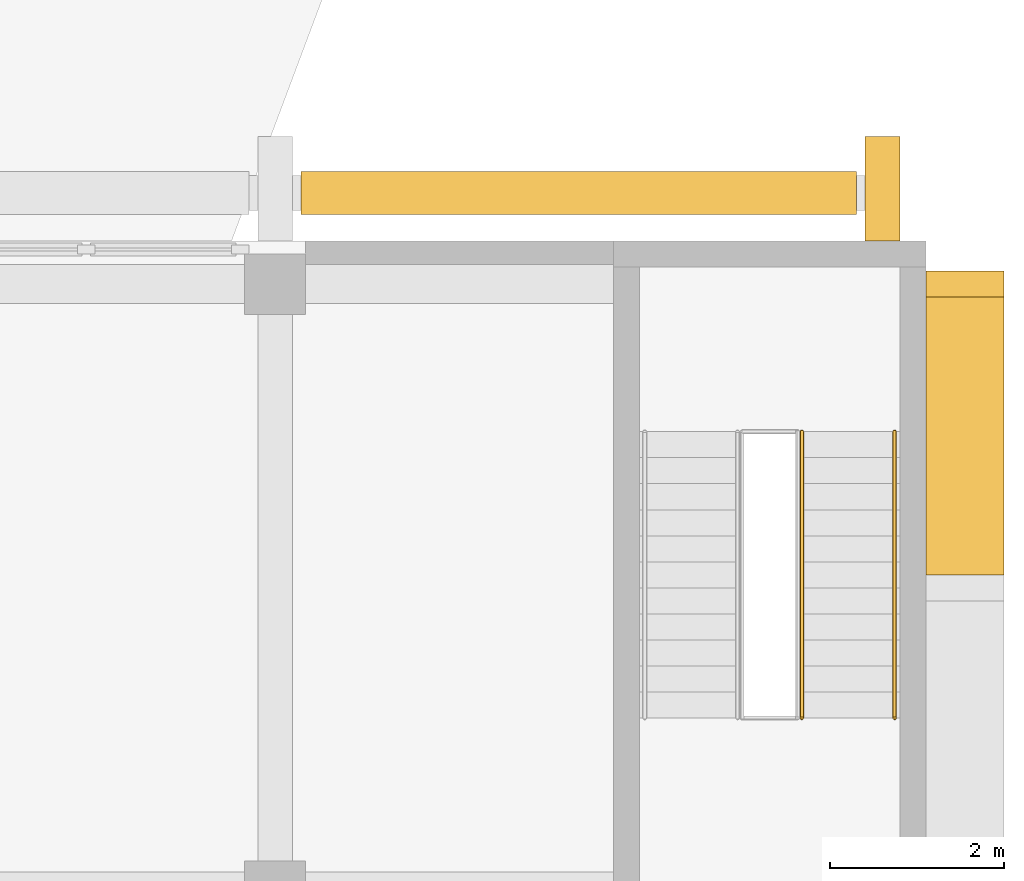
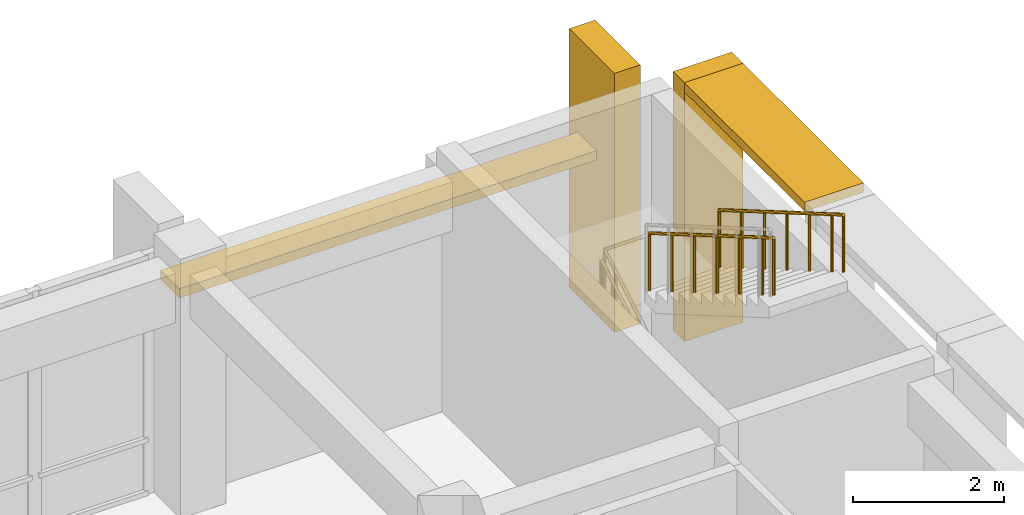
# One storey, part 45 of 45: 4 shading devices, 2 railings.
"""IFC4 building model written with IfcOpenShell, lengths in metres."""

from ifc_helpers import new_model, si_unit, direction, frame, origin, origin_2d, place, context, subcontext, project, spatial, rectangle, circle, extrude, material, layer, layer_set, type_object, element, save


model = new_model("IFC4")

# Units and contexts
model_context = context("Model", 3, precision=1e-05, world=origin(), true_north=direction((0.0, 1.0)))
body_context = subcontext(model_context, "Body", "Model", "MODEL_VIEW")
ifc_project = project(units=[si_unit("LENGTHUNIT", "METRE"), si_unit("AREAUNIT", "SQUARE_METRE"), si_unit("VOLUMEUNIT", "CUBIC_METRE"), si_unit("PLANEANGLEUNIT", "RADIAN"), si_unit("MASSUNIT", "GRAM", prefix="KILO")], contexts=[model_context])

# Site, building, storey
site_placement = place(None, origin())
site = spatial("IfcSite", under=ifc_project, at=site_placement, CompositionType="ELEMENT")
building_placement = place(site_placement, origin())
building = spatial("IfcBuilding", under=site, at=building_placement, Name="Elmora Arch Market Hall", CompositionType="ELEMENT")
storey_placement = place(building_placement, frame((0.0, 0.0, 6.0)))
storey = spatial("IfcBuildingStorey", under=building, at=storey_placement, Name="L01", CompositionType="ELEMENT", Elevation=6.0)

# Shading devices
ifc_material_1 = material(Name="Concrete C40/50", Category="concrete")
ifc_layer_1 = layer(ifc_material_1, 0.14990234375)
ifc_layer_set_1 = layer_set([ifc_layer_1], Name="Concrete C40/50")
shading_device_type_1 = type_object("IfcShadingDeviceType", Name="Concrete blade 150x900", PredefinedType="USERDEFINED", material=ifc_layer_set_1)
shading_device_1_placement = place(storey_placement, frame((134.449951171875, 163.75, 4.050048828125), z_axis=(0.0, 0.0, 1.0), x_axis=(1.0, 0.0, 0.0)))
element("IfcShadingDevice", 1, at=shading_device_1_placement, inside=storey, type_object=shading_device_type_1, Name="School blade E10 L2", ObjectType="BLADE", PredefinedType="USERDEFINED", context=body_context, shape_type="SweptSolid", body=[
    extrude(rectangle(XDim=0.89990234375, YDim=3.199951171875, at=origin_2d()), origin(), (0.0, 0.0, 1.0), 0.14990234375),
])
ifc_material_2 = material(Name="Concrete C40/50", Category="concrete")
shading_device_type_2 = type_object("IfcShadingDeviceType", Name="Concrete fin 300x900", PredefinedType="USERDEFINED", material=ifc_material_2)
shading_device_2_placement = place(storey_placement, frame((134.449951171875, 165.5, 0.0), z_axis=(0.0, 0.0, 1.0), x_axis=(1.0, 0.0, 0.0)))
element("IfcShadingDevice", 2, at=shading_device_2_placement, inside=storey, type_object=shading_device_type_2, Name="School fin E11 L01", ObjectType="FIN", PredefinedType="USERDEFINED", context=body_context, shape_type="SweptSolid", body=[
    extrude(rectangle(XDim=0.89990234375, YDim=0.300048828125, at=origin_2d()), origin(), (0.0, 0.0, 1.0), 4.199951171875),
])
ifc_material_3 = material(Name="Concrete C40/50", Category="concrete")
ifc_layer_2 = layer(ifc_material_3, 0.14990234375)
ifc_layer_set_2 = layer_set([ifc_layer_2], Name="Concrete C40/50")
shading_device_type_3 = type_object("IfcShadingDeviceType", Name="School blade 150x500", PredefinedType="USERDEFINED", material=ifc_layer_set_2)
shading_device_3_placement = place(storey_placement, frame((130.0, 166.550048828125, 2.650146484375), z_axis=(0.0, 0.0, 1.0), x_axis=(1.0, 0.0, 0.0)))
element("IfcShadingDevice", 3, at=shading_device_3_placement, inside=storey, type_object=shading_device_type_3, Name="School blade N6 L01", ObjectType="BLADE", PredefinedType="USERDEFINED", context=body_context, shape_type="SweptSolid", body=[
    extrude(rectangle(XDim=6.39990234375, YDim=0.5, at=origin_2d()), origin(), (0.0, 0.0, 1.0), 0.14990234375),
])
ifc_material_4 = material(Name="Concrete C40/50", Category="concrete")
shading_device_type_4 = type_object("IfcShadingDeviceType", Name="School fin 400x1200", PredefinedType="USERDEFINED", material=ifc_material_4)
shading_device_4_placement = place(storey_placement, frame((133.5, 166.60009765625, 0.0), z_axis=(0.0, 0.0, 1.0), x_axis=(1.0, 0.0, 0.0)))
element("IfcShadingDevice", 4, at=shading_device_4_placement, inside=storey, type_object=shading_device_type_4, Name="School fin N7 L01", ObjectType="FIN", PredefinedType="USERDEFINED", context=body_context, shape_type="SweptSolid", body=[
    extrude(rectangle(XDim=0.39990234375, YDim=1.199951171875, at=origin_2d()), origin(), (0.0, 0.0, 1.0), 4.199951171875),
])

# Railings
ifc_material_5 = material(Name="Stainless steel ASTM A554 Grade 304", Category="steel")
railing_type = type_object("IfcRailingType", Name="Stair handrail 950", PredefinedType="HANDRAIL", material=ifc_material_5)
railing_1_placement = place(storey_placement, frame((133.639892578125, 163.800048828125, 2.27490234375)))
element("IfcRailing", 5, at=railing_1_placement, inside=storey, type_object=railing_type, Name="Stair ST-SCE L01 flight 2 handrail", PredefinedType="HANDRAIL", context=body_context, shape_type="SweptSolid", body=[
    extrude(circle(Radius=0.02392578125, at=origin_2d()), frame((0.0, 0.0, 0.92578125), z_axis=(0.0, -0.863753409277, 0.503914722906), x_axis=(1.0, 0.0, 0.0)), (0.0, 0.0, 1.0), 0.69482421875),
    extrude(circle(Radius=0.02392578125, at=origin_2d()), frame((0.0, -0.60009765625, 1.27587890625), z_axis=(0.0, -0.863664136355, 0.504067713282), x_axis=(1.0, 0.0, 0.0)), (0.0, 0.0, 1.0), 0.694580078125),
    extrude(circle(Radius=0.02392578125, at=origin_2d()), frame((0.0, -1.199951171875, 1.6259765625), z_axis=(0.0, -0.863906348401, 0.503652480577), x_axis=(1.0, 0.0, 0.0)), (0.0, 0.0, 1.0), 0.694580078125),
    extrude(circle(Radius=0.02392578125, at=origin_2d()), frame((0.0, -1.800048828125, 1.97607421875), z_axis=(0.0, -0.863753409277, 0.503914722906), x_axis=(1.0, 0.0, 0.0)), (0.0, 0.0, 1.0), 0.69482421875),
    extrude(circle(Radius=0.02392578125, at=origin_2d()), frame((0.0, -2.400146484375, 2.326171875), z_axis=(0.0, -0.863817152568, 0.503805445515), x_axis=(1.0, 0.0, 0.0)), (0.0, 0.0, 1.0), 0.6943359375),
    extrude(circle(Radius=0.02392578125, at=origin_2d()), frame((0.0, -3.0, 2.67578125), z_axis=(0.0, -0.863753409277, 0.503914722906), x_axis=(1.0, 0.0, 0.0)), (0.0, 0.0, 1.0), 0.347412109375),
    extrude(circle(Radius=0.02099609375, at=origin_2d()), origin(), (0.0, 0.0, 1.0), 0.90185546875),
    extrude(circle(Radius=0.02099609375, at=origin_2d()), frame((0.0, -0.60009765625, 0.35009765625)), (0.0, 0.0, 1.0), 0.90185546875),
    extrude(circle(Radius=0.02099609375, at=origin_2d()), frame((0.0, -1.199951171875, 0.7001953125)), (0.0, 0.0, 1.0), 0.90185546875),
    extrude(circle(Radius=0.02099609375, at=origin_2d()), frame((0.0, -1.800048828125, 1.050048828125)), (0.0, 0.0, 1.0), 0.90185546875),
    extrude(circle(Radius=0.02099609375, at=origin_2d()), frame((0.0, -2.400146484375, 1.400146484375)), (0.0, 0.0, 1.0), 0.90185546875),
    extrude(circle(Radius=0.02099609375, at=origin_2d()), frame((0.0, -3.0, 1.75)), (0.0, 0.0, 1.0), 0.90185546875),
    extrude(circle(Radius=0.02099609375, at=origin_2d()), frame((0.0, -3.300048828125, 1.925048828125)), (0.0, 0.0, 1.0), 0.90185546875),
])
railing_2_placement = place(storey_placement, frame((132.570068359375, 163.800048828125, 2.27490234375)))
element("IfcRailing", 6, at=railing_2_placement, inside=storey, type_object=railing_type, Name="Stair ST-SCE L01 flight 2 handrail", PredefinedType="HANDRAIL", context=body_context, shape_type="SweptSolid", body=[
    extrude(circle(Radius=0.02392578125, at=origin_2d()), frame((0.0, 0.0, 0.92578125), z_axis=(0.0, -0.863753409277, 0.503914722906), x_axis=(1.0, 0.0, 0.0)), (0.0, 0.0, 1.0), 0.69482421875),
    extrude(circle(Radius=0.02392578125, at=origin_2d()), frame((0.0, -0.60009765625, 1.27587890625), z_axis=(0.0, -0.863664136355, 0.504067713282), x_axis=(1.0, 0.0, 0.0)), (0.0, 0.0, 1.0), 0.694580078125),
    extrude(circle(Radius=0.02392578125, at=origin_2d()), frame((0.0, -1.199951171875, 1.6259765625), z_axis=(0.0, -0.863906348401, 0.503652480577), x_axis=(1.0, 0.0, 0.0)), (0.0, 0.0, 1.0), 0.694580078125),
    extrude(circle(Radius=0.02392578125, at=origin_2d()), frame((0.0, -1.800048828125, 1.97607421875), z_axis=(0.0, -0.863753409277, 0.503914722906), x_axis=(1.0, 0.0, 0.0)), (0.0, 0.0, 1.0), 0.69482421875),
    extrude(circle(Radius=0.02392578125, at=origin_2d()), frame((0.0, -2.400146484375, 2.326171875), z_axis=(0.0, -0.863817152568, 0.503805445515), x_axis=(1.0, 0.0, 0.0)), (0.0, 0.0, 1.0), 0.6943359375),
    extrude(circle(Radius=0.02392578125, at=origin_2d()), frame((0.0, -3.0, 2.67578125), z_axis=(0.0, -0.863753409277, 0.503914722906), x_axis=(1.0, 0.0, 0.0)), (0.0, 0.0, 1.0), 0.347412109375),
    extrude(circle(Radius=0.02099609375, at=origin_2d()), origin(), (0.0, 0.0, 1.0), 0.90185546875),
    extrude(circle(Radius=0.02099609375, at=origin_2d()), frame((0.0, -0.60009765625, 0.35009765625)), (0.0, 0.0, 1.0), 0.90185546875),
    extrude(circle(Radius=0.02099609375, at=origin_2d()), frame((0.0, -1.199951171875, 0.7001953125)), (0.0, 0.0, 1.0), 0.90185546875),
    extrude(circle(Radius=0.02099609375, at=origin_2d()), frame((0.0, -1.800048828125, 1.050048828125)), (0.0, 0.0, 1.0), 0.90185546875),
    extrude(circle(Radius=0.02099609375, at=origin_2d()), frame((0.0, -2.400146484375, 1.400146484375)), (0.0, 0.0, 1.0), 0.90185546875),
    extrude(circle(Radius=0.02099609375, at=origin_2d()), frame((0.0, -3.0, 1.75)), (0.0, 0.0, 1.0), 0.90185546875),
    extrude(circle(Radius=0.02099609375, at=origin_2d()), frame((0.0, -3.300048828125, 1.925048828125)), (0.0, 0.0, 1.0), 0.90185546875),
])

save(model, "model.ifc")
